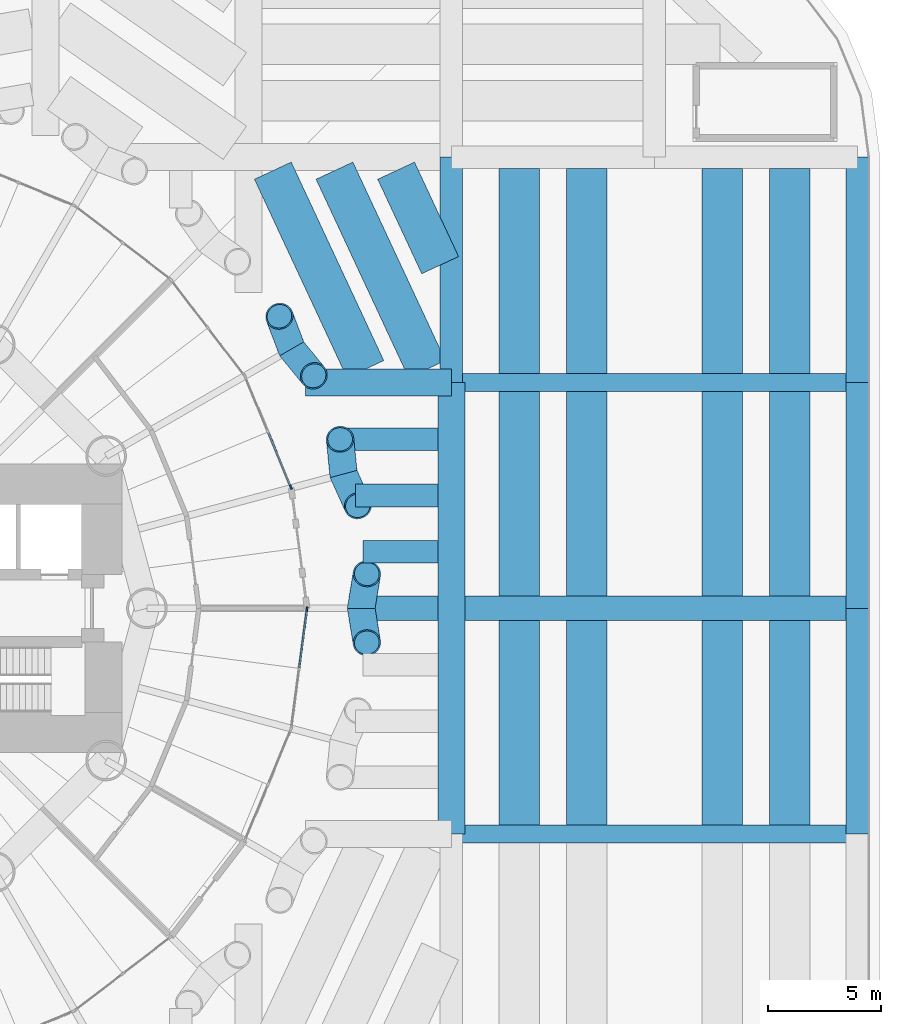
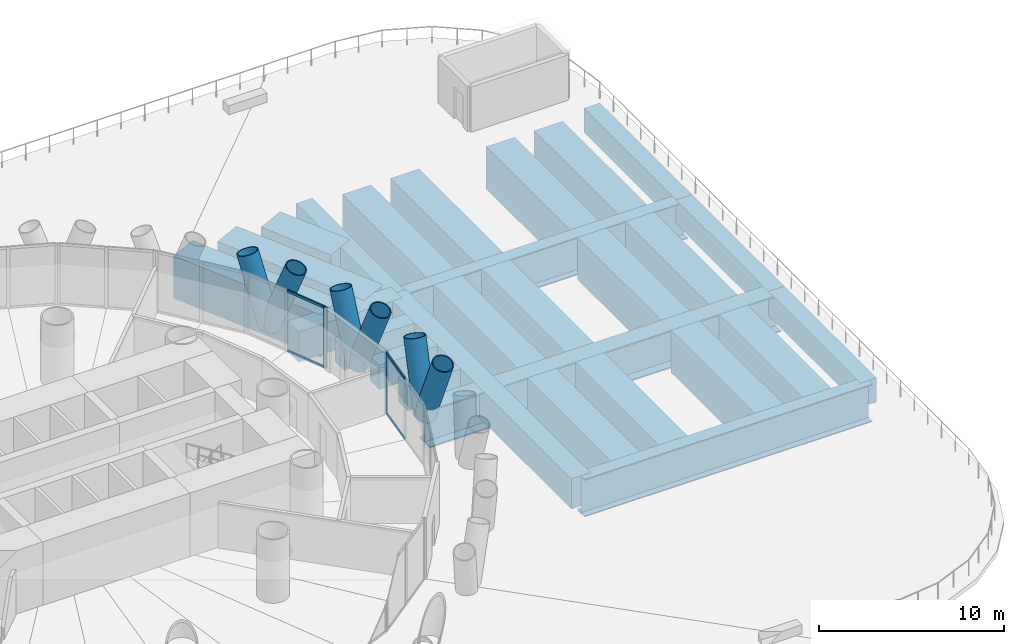
# One storey, part 10 of 19: 27 beams, 12 members, 2 elements without a shape of their own.
"""IFC4 building model written with IfcOpenShell, lengths in metres."""

from ifc_helpers import new_model, si_unit, direction, frame, origin, origin_2d, place, context, subcontext, project, spatial, rectangle, hollow_circle, i_section, extrude, material, material_profile, profile_set, type_object, element, aggregate, save


model = new_model("IFC4")

# Units and contexts
model_context = context("Model", 3, precision=1e-05, world=origin(), true_north=direction((0.0, 1.0)))
body_context = subcontext(model_context, "Body", "Model", "MODEL_VIEW")
ifc_project = project(units=[si_unit("LENGTHUNIT", "METRE"), si_unit("AREAUNIT", "SQUARE_METRE"), si_unit("VOLUMEUNIT", "CUBIC_METRE"), si_unit("PLANEANGLEUNIT", "RADIAN"), si_unit("MASSUNIT", "GRAM", prefix="KILO")], contexts=[model_context])

# Site, building, storey
site_placement = place(None, origin())
site = spatial("IfcSite", under=ifc_project, at=site_placement, CompositionType="ELEMENT")
building_placement = place(site_placement, origin())
building = spatial("IfcBuilding", under=site, at=building_placement, Name="Qaws Media Tower", CompositionType="ELEMENT")
storey_placement = place(building_placement, frame((0.0, 0.0, 26.0)))
storey = spatial("IfcBuildingStorey", under=building, at=storey_placement, Name="L04", CompositionType="ELEMENT", Elevation=26.0)

# Curtain wall, member
ifc_material_1 = material(Name="Aluminium and clear glass", Category="aluminium")
curtain_wall_type = type_object("IfcCurtainWallType", Name="Unitised curtain wall CW-A", PredefinedType="NOTDEFINED", material=ifc_material_1)
curtain_wall_1_placement = place(storey_placement, origin())
curtain_wall_1 = element("IfcCurtainWall", 1, at=curtain_wall_1_placement, inside=storey, type_object=curtain_wall_type, Name="CWA curtain wall L04-02", PredefinedType="NOTDEFINED")
ifc_material_2 = material(Name="Aluminium mullion", Category="aluminium")
ifc_material_profile_1 = material_profile(ifc_material_2, rectangle(XDim=0.080078125, YDim=0.199951171875, at=origin_2d()), Name="80x200")
ifc_profile_set_1 = profile_set([ifc_material_profile_1], Name="Aluminium mullion")
member_type_1 = type_object("IfcMemberType", Name="Curtain wall mullion 80x200", PredefinedType="MULLION", material=ifc_profile_set_1)
member_1_placement = place(storey_placement, frame((79.8828125, 55.36865234375, 0.0), z_axis=(0.0, 0.0, 1.0), x_axis=(-0.923879521985, -0.382683457778, 0.0)))
member_1 = element("IfcMember", 2, at=member_1_placement, type_object=member_type_1, Name="CWA mullion 1", PredefinedType="MULLION", context=body_context, shape_type="SweptSolid", body=[
    extrude(rectangle(XDim=0.080078125, YDim=0.199951171875, at=origin_2d()), origin(), (0.0, 0.0, 1.0), 4.0400390625),
])

curtain_wall_2_placement = place(storey_placement, origin())
curtain_wall_2 = element("IfcCurtainWall", 3, at=curtain_wall_2_placement, inside=storey, type_object=curtain_wall_type, Name="CWA curtain wall L04-24", PredefinedType="NOTDEFINED")
member_2_placement = place(storey_placement, frame((80.5947265625, 49.96044921875, 0.0), z_axis=(0.0, 0.0, 1.0), x_axis=(-0.991444859813, 0.130526204073, 0.0)))
member_2 = element("IfcMember", 4, at=member_2_placement, type_object=member_type_1, Name="CWA mullion 3", PredefinedType="MULLION", context=body_context, shape_type="SweptSolid", body=[
    extrude(rectangle(XDim=0.080078125, YDim=0.199951171875, at=origin_2d()), origin(), (0.0, 0.0, 1.0), 4.0400390625),
])

# Member
ifc_material_3 = material(Name="Aluminium transom", Category="aluminium")
ifc_material_profile_2 = material_profile(ifc_material_3, rectangle(XDim=0.080078125, YDim=0.159912109375, at=origin_2d()), Name="80x160")
ifc_profile_set_2 = profile_set([ifc_material_profile_2], Name="Aluminium transom")
member_type_2 = type_object("IfcMemberType", Name="Curtain wall transom 80x160", PredefinedType="USERDEFINED", material=ifc_profile_set_2)
member_3_placement = place(storey_placement, frame((79.867431640625, 55.405517578125, 0.0400390625), z_axis=(-0.382637188535, 0.923898685977, 0.0), x_axis=(-0.923898685977, -0.382637188535, 0.0)))
member_3 = element("IfcMember", 5, at=member_3_placement, type_object=member_type_2, Name="CWA transom 1.1", ObjectType="TRANSOM", PredefinedType="USERDEFINED", context=body_context, shape_type="SweptSolid", body=[
    extrude(rectangle(XDim=0.080078125, YDim=0.159912109375, at=origin_2d()), origin(), (0.0, 0.0, 1.0), 2.56884765625),
])

member_4_placement = place(storey_placement, frame((79.867431640625, 55.405517578125, 4.0), z_axis=(-0.382637188535, 0.923898685977, 0.0), x_axis=(-0.923898685977, -0.382637188535, 0.0)))
member_4 = element("IfcMember", 6, at=member_4_placement, type_object=member_type_2, Name="CWA transom 1.2", ObjectType="TRANSOM", PredefinedType="USERDEFINED", context=body_context, shape_type="SweptSolid", body=[
    extrude(rectangle(XDim=0.080078125, YDim=0.159912109375, at=origin_2d()), origin(), (0.0, 0.0, 1.0), 2.56884765625),
])

aggregate(curtain_wall_1, [member_1, member_3, member_4])

member_5_placement = place(storey_placement, frame((80.254150390625, 47.373779296875, 0.0400390625), z_axis=(0.130582350348, 0.991437466398, 0.0), x_axis=(-0.991437466398, 0.130582350348, 0.0)))
member_5 = element("IfcMember", 7, at=member_5_placement, type_object=member_type_2, Name="CWA transom 2.1", ObjectType="TRANSOM", PredefinedType="USERDEFINED", context=body_context, shape_type="SweptSolid", body=[
    extrude(rectangle(XDim=0.080078125, YDim=0.159912109375, at=origin_2d()), origin(), (0.0, 0.0, 1.0), 2.56884765625),
])

member_6_placement = place(storey_placement, frame((80.254150390625, 47.373779296875, 4.0), z_axis=(0.130582350348, 0.991437466398, 0.0), x_axis=(-0.991437466398, 0.130582350348, 0.0)))
member_6 = element("IfcMember", 8, at=member_6_placement, type_object=member_type_2, Name="CWA transom 2.2", ObjectType="TRANSOM", PredefinedType="USERDEFINED", context=body_context, shape_type="SweptSolid", body=[
    extrude(rectangle(XDim=0.080078125, YDim=0.159912109375, at=origin_2d()), origin(), (0.0, 0.0, 1.0), 2.56884765625),
])

aggregate(curtain_wall_2, [member_2, member_5, member_6])

# Members
ifc_material_4 = material(Name="Steel S460", Category="steel")
ifc_material_profile_3 = material_profile(ifc_material_4, hollow_circle(Radius=0.609619140625, WallThickness=0.06005859375, at=origin_2d()), Name="CHS 1219x60")
ifc_profile_set_3 = profile_set([ifc_material_profile_3], Name="Steel S460")
member_type_3 = type_object("IfcMemberType", Name="Diagrid member CHS 1219x60", PredefinedType="USERDEFINED", material=ifc_profile_set_3)
for number, where, z_axis, x_axis, name in (
    (9, (83.0, 50.0, -0.909912109375), (0.055867575283, 0.340552153241, 0.938564353124), (-0.986809454088, 0.161886075134, 0.0), "DG1 diagrid L04 A01"),
    (10, (83.0, 50.0, -0.909912109375), (0.055867575283, -0.340552153241, 0.938564353124), (0.986809454088, 0.161886075134, 0.0), "DG1 diagrid L04 B01"),
    (11, (82.21630859375, 55.952880859375, -0.909912109375), (-0.034153665458, 0.343391645998, 0.938571097251), (-0.99509027013, -0.098971482221, 0.0), "DG1 diagrid L04 A02"),
    (12, (82.21630859375, 55.952880859375, -0.909912109375), (0.142124356415, -0.314474007821, 0.938566335279), (0.911257699186, 0.411836624979, 0.0), "DG1 diagrid L04 B02"),
    (13, (79.918701171875, 61.5, -0.909912109375), (-0.121882547389, 0.322874178804, 0.938561084482), (-0.935560331007, -0.353166911029, 0.0), "DG1 diagrid L04 A03"),
    (14, (79.918701171875, 61.5, -0.909912109375), (0.218671012683, -0.266955405454, 0.93857221337), (0.77359792083, 0.633676776351, 0.0), "DG1 diagrid L04 B03"),
):
    element("IfcMember", number, at=place(storey_placement, frame(where, z_axis=z_axis, x_axis=x_axis)), inside=storey, type_object=member_type_3, Name=name, ObjectType="DIAGRID", PredefinedType="USERDEFINED", context=body_context, shape_type="SweptSolid", body=[
        extrude(hollow_circle(Radius=0.609619140625, WallThickness=0.06005859375, at=origin_2d()), origin(), (0.0, 0.0, 1.0), 4.474853515625),
    ])

# Beams
ifc_material_5 = material(Name="Concrete C60/75", Category="concrete")
ifc_material_profile_4 = material_profile(ifc_material_5, rectangle(XDim=1.199951171875, YDim=2.0, at=origin_2d()), Name="RC 1200x2000")
ifc_profile_set_4 = profile_set([ifc_material_profile_4], Name="Concrete C60/75")
beam_type_1 = type_object("IfcBeamType", Name="Podium long trimmer beam RC 1200x2000", PredefinedType="BEAM", material=ifc_profile_set_4)
beam_1_placement = place(storey_placement, frame((87.0, 40.0, -1.300048828125), z_axis=(0.0, 1.0, 0.0), x_axis=(-1.0, 0.0, 0.0)))
element("IfcBeam", 15, at=beam_1_placement, inside=storey, type_object=beam_type_1, Name="PB11 beam 9/C-9/E", PredefinedType="BEAM", context=body_context, shape_type="SweptSolid", body=[
    extrude(rectangle(XDim=1.199951171875, YDim=2.0, at=origin_2d()), origin(), (0.0, 0.0, 1.0), 20.0),
])
ifc_material_6 = material(Name="Concrete C60/75", Category="concrete")
ifc_material_profile_5 = material_profile(ifc_material_6, rectangle(XDim=1.0, YDim=1.60009765625, at=origin_2d()), Name="RC 1000x1600")
ifc_profile_set_5 = profile_set([ifc_material_profile_5], Name="Concrete C60/75")
beam_type_2 = type_object("IfcBeamType", Name="Podium roof girder RC 1000x1600", PredefinedType="BEAM", material=ifc_profile_set_5)
for number, where, z_axis, x_axis, name in (
    (16, (87.0, 60.0, -1.10009765625), (0.0, 1.0, 0.0), (-1.0, 0.0, 0.0), "PB10 beam 9/E-F"),
    (17, (105.0, 40.0, -1.10009765625), (0.0, 1.0, 0.0), (-1.0, 0.0, 0.0), "PB10 beam 11/C-D"),
    (18, (105.0, 50.0, -1.10009765625), (0.0, 1.0, 0.0), (-1.0, 0.0, 0.0), "PB10 beam 11/D-E"),
    (19, (105.0, 60.0, -1.10009765625), (0.0, 1.0, 0.0), (-1.0, 0.0, 0.0), "PB10 beam 11/E-F"),
):
    element("IfcBeam", number, at=place(storey_placement, frame(where, z_axis=z_axis, x_axis=x_axis)), inside=storey, type_object=beam_type_2, Name=name, PredefinedType="BEAM", context=body_context, shape_type="SweptSolid", body=[
        extrude(rectangle(XDim=1.0, YDim=1.60009765625, at=origin_2d()), origin(), (0.0, 0.0, 1.0), 10.0),
    ])
ifc_material_7 = material(Name="Concrete C60/75", Category="concrete")
ifc_material_profile_6 = material_profile(ifc_material_7, rectangle(XDim=1.0, YDim=1.60009765625, at=origin_2d()), Name="RC 1000x1600")
ifc_profile_set_6 = profile_set([ifc_material_profile_6], Name="Concrete C60/75")
beam_type_3 = type_object("IfcBeamType", Name="Podium roof ring secondary beam RC 1000x1600", PredefinedType="BEAM", material=ifc_profile_set_6)
beam_2_placement = place(storey_placement, frame((83.07421875, 52.5, -1.10009765625), z_axis=(1.0, 0.0, 0.0), x_axis=(0.0, 1.0, 0.0)))
element("IfcBeam", 20, at=beam_2_placement, inside=storey, type_object=beam_type_3, Name="PB13 beam bay 8D line 1", PredefinedType="BEAM", context=body_context, shape_type="SweptSolid", body=[
    extrude(rectangle(XDim=1.0, YDim=1.60009765625, at=origin_2d()), origin(), (0.0, 0.0, 1.0), 3.32568359375),
])
beam_3_placement = place(storey_placement, frame((82.7451171875, 55.0, -1.10009765625), z_axis=(1.0, 0.0, 0.0), x_axis=(0.0, 1.0, 0.0)))
element("IfcBeam", 21, at=beam_3_placement, inside=storey, type_object=beam_type_3, Name="PB13 beam bay 8D line 2", PredefinedType="BEAM", context=body_context, shape_type="SweptSolid", body=[
    extrude(rectangle(XDim=1.0, YDim=1.60009765625, at=origin_2d()), origin(), (0.0, 0.0, 1.0), 3.65478515625),
])
beam_4_placement = place(storey_placement, frame((82.00830078125, 57.5, -1.10009765625), z_axis=(1.0, 0.0, 0.0), x_axis=(0.0, 1.0, 0.0)))
element("IfcBeam", 22, at=beam_4_placement, inside=storey, type_object=beam_type_3, Name="PB13 beam bay 8D line 3", PredefinedType="BEAM", context=body_context, shape_type="SweptSolid", body=[
    extrude(rectangle(XDim=1.0, YDim=1.60009765625, at=origin_2d()), origin(), (0.0, 0.0, 1.0), 4.3916015625),
])
ifc_material_8 = material(Name="Concrete C60/75", Category="concrete")
ifc_material_profile_7 = material_profile(ifc_material_8, rectangle(XDim=1.800048828125, YDim=2.800048828125, at=origin_2d()), Name="RC 1800x2800")
ifc_profile_set_7 = profile_set([ifc_material_profile_7], Name="Concrete C60/75")
beam_type_4 = type_object("IfcBeamType", Name="Podium roof secondary beam RC 1800x2800", PredefinedType="BEAM", material=ifc_profile_set_7)
beam_5_placement = place(storey_placement, frame((86.5, 65.212158203125, -1.699951171875), z_axis=(-0.422636695066, 0.906299191208, 0.0), x_axis=(-0.906299191208, -0.422636695066, 0.0)))
element("IfcBeam", 23, at=beam_5_placement, inside=storey, type_object=beam_type_4, Name="PB8 beam bay 8E line 1", PredefinedType="BEAM", context=body_context, shape_type="SweptSolid", body=[
    extrude(rectangle(XDim=1.800048828125, YDim=2.800048828125, at=origin_2d()), origin(), (0.0, 0.0, 1.0), 4.62060546875),
])
for number, where, z_axis, x_axis, name in (
    (24, (85.91796875, 60.60009765625, -1.699951171875), (-0.422626662909, 0.90630386946, 0.0), (-0.90630386946, -0.422626662909, 0.0), "PB8 beam bay 8E line 2"),
    (25, (83.185546875, 60.60009765625, -1.699951171875), (-0.422626662909, 0.90630386946, 0.0), (-0.90630386946, -0.422626662909, 0.0), "PB8 beam bay 8E line 3"),
):
    element("IfcBeam", number, at=place(storey_placement, frame(where, z_axis=z_axis, x_axis=x_axis)), inside=storey, type_object=beam_type_4, Name=name, PredefinedType="BEAM", context=body_context, shape_type="SweptSolid", body=[
        extrude(rectangle(XDim=1.800048828125, YDim=2.800048828125, at=origin_2d()), origin(), (0.0, 0.0, 1.0), 9.70947265625),
    ])
for number, where, z_axis, x_axis, name in (
    (26, (93.0, 40.39990234375, -1.699951171875), (0.0, 1.0, 0.0), (-1.0, 0.0, 0.0), "PB8 beam bay 9C line 1"),
    (27, (90.0, 40.39990234375, -1.699951171875), (0.0, 1.0, 0.0), (-1.0, 0.0, 0.0), "PB8 beam bay 9C line 2"),
    (28, (93.0, 50.550048828125, -1.699951171875), (0.0, 1.0, 0.0), (-1.0, 0.0, 0.0), "PB8 beam bay 9D line 1"),
    (29, (90.0, 50.550048828125, -1.699951171875), (0.0, 1.0, 0.0), (-1.0, 0.0, 0.0), "PB8 beam bay 9D line 2"),
):
    element("IfcBeam", number, at=place(storey_placement, frame(where, z_axis=z_axis, x_axis=x_axis)), inside=storey, type_object=beam_type_4, Name=name, PredefinedType="BEAM", context=body_context, shape_type="SweptSolid", body=[
        extrude(rectangle(XDim=1.800048828125, YDim=2.800048828125, at=origin_2d()), origin(), (0.0, 0.0, 1.0), 9.050048828125),
    ])
for number, where, z_axis, x_axis, name in (
    (30, (93.0, 60.39990234375, -1.699951171875), (0.0, 1.0, 0.0), (-1.0, 0.0, 0.0), "PB8 beam bay 9E line 1"),
    (31, (90.0, 60.39990234375, -1.699951171875), (0.0, 1.0, 0.0), (-1.0, 0.0, 0.0), "PB8 beam bay 9E line 2"),
):
    element("IfcBeam", number, at=place(storey_placement, frame(where, z_axis=z_axis, x_axis=x_axis)), inside=storey, type_object=beam_type_4, Name=name, PredefinedType="BEAM", context=body_context, shape_type="SweptSolid", body=[
        extrude(rectangle(XDim=1.800048828125, YDim=2.800048828125, at=origin_2d()), origin(), (0.0, 0.0, 1.0), 9.10009765625),
    ])
for number, where, z_axis, x_axis, name in (
    (32, (102.0, 40.39990234375, -1.699951171875), (0.0, 1.0, 0.0), (-1.0, 0.0, 0.0), "PB8 beam bay 10C line 1"),
    (33, (99.0, 40.39990234375, -1.699951171875), (0.0, 1.0, 0.0), (-1.0, 0.0, 0.0), "PB8 beam bay 10C line 2"),
    (34, (102.0, 50.550048828125, -1.699951171875), (0.0, 1.0, 0.0), (-1.0, 0.0, 0.0), "PB8 beam bay 10D line 1"),
    (35, (99.0, 50.550048828125, -1.699951171875), (0.0, 1.0, 0.0), (-1.0, 0.0, 0.0), "PB8 beam bay 10D line 2"),
):
    element("IfcBeam", number, at=place(storey_placement, frame(where, z_axis=z_axis, x_axis=x_axis)), inside=storey, type_object=beam_type_4, Name=name, PredefinedType="BEAM", context=body_context, shape_type="SweptSolid", body=[
        extrude(rectangle(XDim=1.800048828125, YDim=2.800048828125, at=origin_2d()), origin(), (0.0, 0.0, 1.0), 9.050048828125),
    ])
for number, where, z_axis, x_axis, name in (
    (36, (102.0, 60.39990234375, -1.699951171875), (0.0, 1.0, 0.0), (-1.0, 0.0, 0.0), "PB8 beam bay 10E line 1"),
    (37, (99.0, 60.39990234375, -1.699951171875), (0.0, 1.0, 0.0), (-1.0, 0.0, 0.0), "PB8 beam bay 10E line 2"),
):
    element("IfcBeam", number, at=place(storey_placement, frame(where, z_axis=z_axis, x_axis=x_axis)), inside=storey, type_object=beam_type_4, Name=name, PredefinedType="BEAM", context=body_context, shape_type="SweptSolid", body=[
        extrude(rectangle(XDim=1.800048828125, YDim=2.800048828125, at=origin_2d()), origin(), (0.0, 0.0, 1.0), 9.10009765625),
    ])
ifc_material_9 = material(Name="Concrete C60/75", Category="concrete")
ifc_material_profile_8 = material_profile(ifc_material_9, rectangle(XDim=1.199951171875, YDim=2.0, at=origin_2d()), Name="RC 1200x2000")
ifc_profile_set_8 = profile_set([ifc_material_profile_8], Name="Concrete C60/75")
beam_type_5 = type_object("IfcBeamType", Name="Podium trimmer beam RC 1200x2000", PredefinedType="BEAM", material=ifc_profile_set_8)
beam_6_placement = place(storey_placement, frame((87.0, 60.0, -1.300048828125), z_axis=(-1.0, 0.0, 0.0), x_axis=(0.0, -1.0, 0.0)))
element("IfcBeam", 38, at=beam_6_placement, inside=storey, type_object=beam_type_5, Name="PB4 beam 9/E to the tower ring", PredefinedType="BEAM", context=body_context, shape_type="SweptSolid", body=[
    extrude(rectangle(XDim=1.199951171875, YDim=2.0, at=origin_2d()), origin(), (0.0, 0.0, 1.0), 6.460205078125),
])
ifc_material_10 = material(Name="Steel S355", Category="steel")
ifc_material_profile_9 = material_profile(ifc_material_10, i_section(OverallWidth=1.10009765625, OverallDepth=2.5, WebThickness=0.031982421875, FlangeThickness=0.080078125, at=origin_2d()), Name="PG 2500x1100")
ifc_profile_set_9 = profile_set([ifc_material_profile_9], Name="Steel S355")
beam_type_6 = type_object("IfcBeamType", Name="Studio girder PG 2500x1100", PredefinedType="BEAM", material=ifc_profile_set_9)
beam_7_placement = place(storey_placement, frame((83.0, 50.0, -1.550048828125), z_axis=(1.0, 0.0, 0.0), x_axis=(0.0, 1.0, 0.0)))
element("IfcBeam", 39, at=beam_7_placement, inside=storey, type_object=beam_type_6, Name="SG2 studio B girder on grid D", PredefinedType="BEAM", context=body_context, shape_type="SweptSolid", body=[
    extrude(i_section(OverallWidth=1.10009765625, OverallDepth=2.5, WebThickness=0.031982421875, FlangeThickness=0.080078125, at=origin_2d()), origin(), (0.0, 0.0, 1.0), 22.0),
])
ifc_material_11 = material(Name="Steel S355", Category="steel")
ifc_material_profile_10 = material_profile(ifc_material_11, i_section(OverallWidth=0.800048828125, OverallDepth=2.5, WebThickness=0.030029296875, FlangeThickness=0.06494140625, at=origin_2d()), Name="PG 2500x800")
ifc_profile_set_10 = profile_set([ifc_material_profile_10], Name="Steel S355")
beam_type_7 = type_object("IfcBeamType", Name="Studio girder PG 2500x800", PredefinedType="BEAM", material=ifc_profile_set_10)
for number, where, z_axis, x_axis, name in (
    (40, (87.0, 40.0, -1.550048828125), (1.0, 0.0, 0.0), (0.0, 1.0, 0.0), "SG1 studio B girder on grid C"),
    (41, (87.0, 60.0, -1.550048828125), (1.0, 0.0, 0.0), (0.0, 1.0, 0.0), "SG1 studio B girder on grid E"),
):
    element("IfcBeam", number, at=place(storey_placement, frame(where, z_axis=z_axis, x_axis=x_axis)), inside=storey, type_object=beam_type_7, Name=name, PredefinedType="BEAM", context=body_context, shape_type="SweptSolid", body=[
        extrude(i_section(OverallWidth=0.800048828125, OverallDepth=2.5, WebThickness=0.030029296875, FlangeThickness=0.06494140625, at=origin_2d()), origin(), (0.0, 0.0, 1.0), 18.0),
    ])

save(model, "model.ifc")
